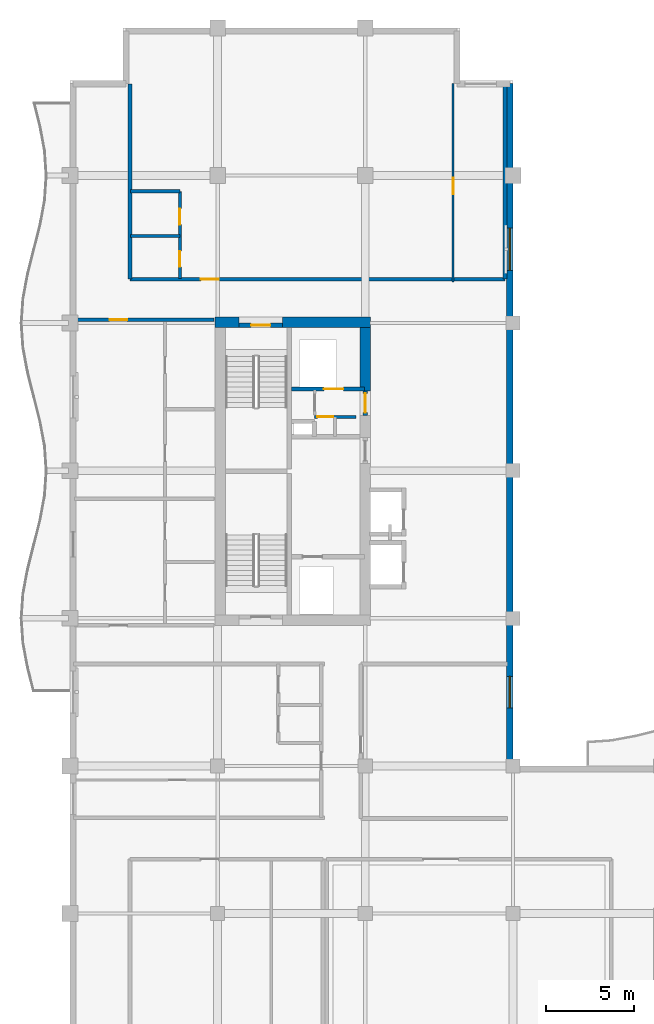
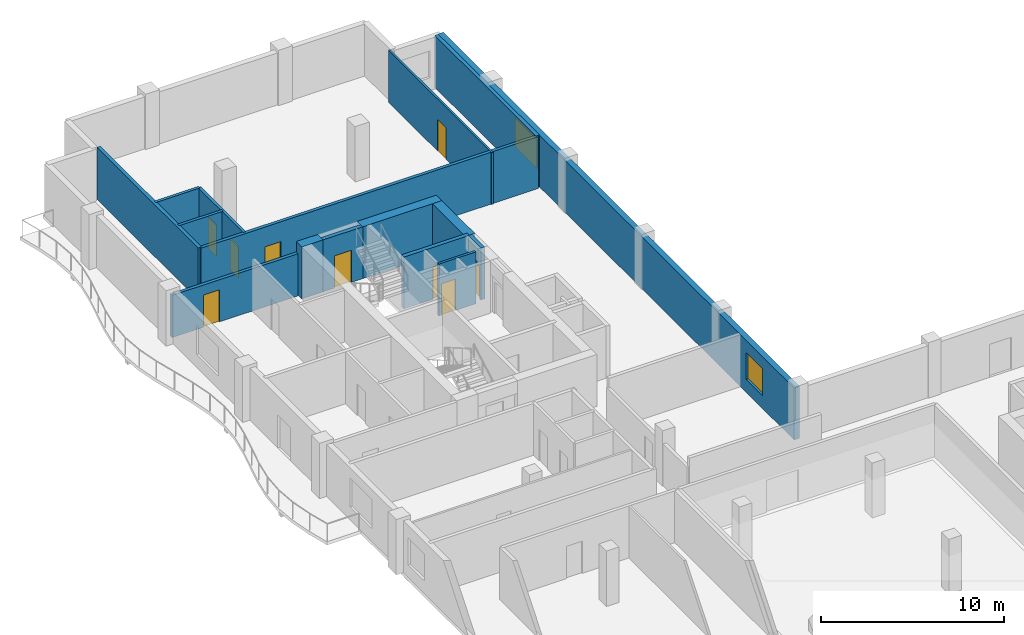
# One storey, part 10 of 16: 16 walls, 9 doors, 2 windows, 11 openings.
"""IFC4 building model written with IfcOpenShell, lengths in metres."""

from ifc_helpers import new_model, si_unit, direction, frame, frame_2d, origin, place, context, subcontext, project, spatial, rectangle, extrude, material, layer, layer_set, type_object, element, fill, save


model = new_model("IFC4")

# Units and contexts
model_context = context("Model", 3, precision=1e-05, world=origin(), true_north=direction((0.0, 1.0)))
body_context = subcontext(model_context, "Body", "Model", "MODEL_VIEW")
ifc_project = project(units=[si_unit("LENGTHUNIT", "METRE"), si_unit("AREAUNIT", "SQUARE_METRE"), si_unit("VOLUMEUNIT", "CUBIC_METRE"), si_unit("PLANEANGLEUNIT", "RADIAN"), si_unit("MASSUNIT", "GRAM", prefix="KILO")], contexts=[model_context])

# Site, building, storey
site_placement = place(None, origin())
site = spatial("IfcSite", under=ifc_project, at=site_placement, CompositionType="ELEMENT")
building_placement = place(site_placement, origin())
building = spatial("IfcBuilding", under=site, at=building_placement, Name="Koriwani Terraces Tower", CompositionType="ELEMENT")
storey_placement = place(building_placement, frame((0.0, 0.0, 274.89990234375)))
storey = spatial("IfcBuildingStorey", under=building, at=storey_placement, Name="L68", CompositionType="ELEMENT", Elevation=274.89990234375)

# Walls
ifc_material_1 = material(Name="Concrete C60/75", Category="concrete")
ifc_layer_1 = layer(ifc_material_1, 0.60009765625, Name="Concrete C60/75")
ifc_layer_set_1 = layer_set([ifc_layer_1], Name="Concrete C60/75")
wall_type_1 = type_object("IfcWallType", Name="WALL_CORE_RC_600", PredefinedType="SHEAR", material=ifc_layer_set_1)
wall_1_placement = place(storey_placement, frame((16.64990234375, 58.85009765625, 0.0), z_axis=(0.0, 0.0, 1.0), x_axis=(1.0, 0.0, 0.0)))
element("IfcWall", 1, at=wall_1_placement, inside=storey, type_object=wall_type_1, Name="L68 West Split Core Shear Wall N1", PredefinedType="SHEAR", context=body_context, shape_type="SweptSolid", body=[
    extrude(rectangle(XDim=1.35009765625, YDim=0.60009765625, at=frame_2d((0.675048828125, 0.0))), origin(), (0.0, 0.0, 1.0), 3.47021484375),
])
wall_2_placement = place(storey_placement, frame((20.5, 58.85009765625, 0.0), z_axis=(0.0, 0.0, 1.0), x_axis=(1.0, 0.0, 0.0)))
element("IfcWall", 2, at=wall_2_placement, inside=storey, type_object=wall_type_1, Name="L68 West Split Core Shear Wall N2", PredefinedType="SHEAR", context=body_context, shape_type="SweptSolid", body=[
    extrude(rectangle(XDim=5.0, YDim=0.60009765625, at=frame_2d((2.5, 0.0))), origin(), (0.0, 0.0, 1.0), 3.47021484375),
])
wall_3_placement = place(storey_placement, frame((25.199951171875, 54.949951171875, 0.0), z_axis=(0.0, 0.0, 1.0), x_axis=(0.0, 1.0, 0.0)))
element("IfcWall", 3, at=wall_3_placement, inside=storey, type_object=wall_type_1, Name="L68 West Split Core Shear Wall E3", PredefinedType="SHEAR", context=body_context, shape_type="SweptSolid", body=[
    extrude(rectangle(XDim=3.60009765625, YDim=0.60009765625, at=frame_2d((1.800048828125, 0.0))), origin(), (0.0, 0.0, 1.0), 3.47021484375),
])

# Wall, opening, door
ifc_material_2 = material(Name="Autoclaved Cellular Concrete Blockwork", Category="masonry")
ifc_layer_2 = layer(ifc_material_2, 0.199951171875, Name="Autoclaved Cellular Concrete Blockwork")
ifc_layer_set_2 = layer_set([ifc_layer_2], Name="Autoclaved Cellular Concrete Blockwork")
wall_type_2 = type_object("IfcWallType", Name="WALL_CORRIDOR_200", PredefinedType="PARTITIONING", material=ifc_layer_set_2)
wall_4_placement = place(storey_placement, frame((8.64990234375, 59.0, 0.0), z_axis=(0.0, 0.0, 1.0), x_axis=(1.0, 0.0, 0.0)))
wall_4 = element("IfcWall", 4, at=wall_4_placement, inside=storey, type_object=wall_type_2, Name="L68 Interior Wall WRZ4-WN-L68", PredefinedType="PARTITIONING", context=body_context, shape_type="SweptSolid", body=[
    extrude(rectangle(XDim=7.9501953125, YDim=0.199951171875, at=frame_2d((3.97509765625, 0.0))), origin(), (0.0, 0.0, 1.0), 2.820068359375),
])
opening_1_placement = place(wall_4_placement, frame((2.0, 0.0, 0.0)))
opening_1 = element("IfcOpeningElement", 5, at=opening_1_placement, cuts=wall_4, Name="Opening D-05", PredefinedType="OPENING", context=body_context, shape_type="SweptSolid", body=[
    extrude(rectangle(XDim=1.0, YDim=2.14990234375, at=frame_2d((0.5, 1.074951171875))), frame((0.0, 0.10986328125, 0.0), z_axis=(0.0, -1.0, 0.0), x_axis=(1.0, 0.0, 0.0)), (0.0, 0.0, 1.0), 0.219970703125),
])
ifc_material_3 = material(Name="Architectural Oak Fire Door", Category="wood")
door_type_1 = type_object("IfcDoorType", Name="DOOR_SUITE_ENTRY_1000X2150", OperationType="NOTDEFINED", PredefinedType="DOOR", material=ifc_material_3)
door_1_placement = place(opening_1_placement, origin())
door_1 = element("IfcDoor", 6, at=door_1_placement, inside=storey, type_object=door_type_1, Name="Apartment 68RW2 Entrance Door", OperationType="SINGLE_SWING_RIGHT", OverallHeight=2.14990234375, OverallWidth=1.0, PredefinedType="DOOR", context=body_context, shape_type="SweptSolid", body=[
    extrude(rectangle(XDim=1.0, YDim=2.14990234375, at=frame_2d((0.5, 1.074951171875))), frame((0.0, 0.02490234375, 0.0), z_axis=(0.0, -1.0, 0.0), x_axis=(1.0, 0.0, 0.0)), (0.0, 0.0, 1.0), 0.050048828125),
])
fill(opening_1, door_1)

wall_5_placement = place(storey_placement, frame((11.800048828125, 61.300048828125, 0.0), z_axis=(0.0, 0.0, 1.0), x_axis=(1.0, 0.0, 0.0)))
wall_5 = element("IfcWall", 7, at=wall_5_placement, inside=storey, type_object=wall_type_2, Name="L68 Interior Wall WGB-L68-NT-S", PredefinedType="PARTITIONING", context=body_context, shape_type="SweptSolid", body=[
    extrude(rectangle(XDim=21.349853515625, YDim=0.199951171875, at=frame_2d((10.6748046875, 0.0))), origin(), (0.0, 0.0, 1.0), 3.47021484375),
])
opening_2_placement = place(wall_5_placement, frame((4.050048828125, 0.0, 0.0)))
opening_2 = element("IfcOpeningElement", 8, at=opening_2_placement, cuts=wall_5, Name="Opening D-05", PredefinedType="OPENING", context=body_context, shape_type="SweptSolid", body=[
    extrude(rectangle(XDim=1.0, YDim=2.14990234375, at=frame_2d((0.5, 1.074951171875))), frame((0.0, 0.10986328125, 0.0), z_axis=(0.0, -1.0, 0.0), x_axis=(1.0, 0.0, 0.0)), (0.0, 0.0, 1.0), 0.219970703125),
])
door_2_placement = place(opening_2_placement, origin())
door_2 = element("IfcDoor", 9, at=door_2_placement, inside=storey, type_object=door_type_1, Name="Apartment 68NT Entrance Door", OperationType="SINGLE_SWING_RIGHT", OverallHeight=2.14990234375, OverallWidth=1.0, PredefinedType="DOOR", context=body_context, shape_type="SweptSolid", body=[
    extrude(rectangle(XDim=1.0, YDim=2.14990234375, at=frame_2d((0.5, 1.074951171875))), frame((0.0, 0.02490234375, 0.0), z_axis=(0.0, -1.0, 0.0), x_axis=(1.0, 0.0, 0.0)), (0.0, 0.0, 1.0), 0.050048828125),
])
fill(opening_2, door_2)

# Walls
ifc_layer_3 = layer(ifc_material_2, 0.219970703125, Name="Autoclaved Cellular Concrete Blockwork")
ifc_layer_set_3 = layer_set([ifc_layer_3], Name="Autoclaved Cellular Concrete Blockwork")
wall_type_3 = type_object("IfcWallType", Name="WALL_DEMISING_220", PredefinedType="PARTITIONING", material=ifc_layer_set_3)
for number, where, z_axis, x_axis, name in (
    (10, (33.14990234375, 61.300048828125, 0.0), (0.0, 0.0, 1.0), (0.0, 1.0, 0.0), "L68 Interior Wall WGB-L68-NT-E"),
    (11, (11.800048828125, 61.300048828125, 0.0), (0.0, 0.0, 1.0), (0.0, 1.0, 0.0), "L68 Interior Wall WGB-L68-NT-W"),
):
    element("IfcWall", number, at=place(storey_placement, frame(where, z_axis=z_axis, x_axis=x_axis)), inside=storey, type_object=wall_type_3, Name=name, PredefinedType="PARTITIONING", context=body_context, shape_type="SweptSolid", body=[
        extrude(rectangle(XDim=11.099853515625, YDim=0.219970703125, at=frame_2d((5.5498046875, 0.0))), origin(), (0.0, 0.0, 1.0), 3.47021484375),
    ])

# Wall, openings, windows
ifc_material_4 = material(Name="Concrete C50/60", Category="concrete")
ifc_layer_4 = layer(ifc_material_4, 0.35009765625, Name="Concrete C50/60")
ifc_layer_set_4 = layer_set([ifc_layer_4], Name="Concrete C50/60")
wall_type_4 = type_object("IfcWallType", Name="WALL_EXT_BRUTALIST_350", PredefinedType="STANDARD", material=ifc_layer_set_4)
wall_6_placement = place(storey_placement, frame((33.425048828125, 72.425048828125, 0.0), z_axis=(0.0, 0.0, 1.0), x_axis=(0.0, -1.0, 0.0)))
wall_6 = element("IfcWall", 12, at=wall_6_placement, inside=storey, type_object=wall_type_4, Name="L68 Fair-Faced Brutalist Exterior Wall (NW_IN)", PredefinedType="STANDARD", context=body_context, shape_type="SweptSolid", body=[
    extrude(rectangle(XDim=39.0, YDim=0.35009765625, at=frame_2d((19.5, 0.0))), origin(), (0.0, 0.0, 1.0), 3.47021484375),
])
opening_3_placement = place(wall_6_placement, frame((33.72509765625, 0.0, 0.85009765625)))
opening_3 = element("IfcOpeningElement", 13, at=opening_3_placement, cuts=wall_6, Name="Opening W-04", PredefinedType="OPENING", context=body_context, shape_type="SweptSolid", body=[
    extrude(rectangle(XDim=1.800048828125, YDim=1.800048828125, at=frame_2d((0.89990234375, 0.89990234375))), frame((0.0, 0.18505859375, 0.0), z_axis=(0.0, -1.0, 0.0), x_axis=(1.0, 0.0, 0.0)), (0.0, 0.0, 1.0), 0.3701171875),
])
opening_4_placement = place(wall_6_placement, frame((8.22509765625, 0.0, 0.85009765625)))
opening_4 = element("IfcOpeningElement", 14, at=opening_4_placement, cuts=wall_6, Name="Opening W-03", PredefinedType="OPENING", context=body_context, shape_type="SweptSolid", body=[
    extrude(rectangle(XDim=2.39990234375, YDim=1.949951171875, at=frame_2d((1.199951171875, 0.97509765625))), frame((0.0, 0.18505859375, 0.0), z_axis=(0.0, -1.0, 0.0), x_axis=(1.0, 0.0, 0.0)), (0.0, 0.0, 1.0), 0.3701171875),
])
ifc_material_5 = material(Name="Tempered Laminated Low-E Glass", Category="glass")
window_type_1 = type_object("IfcWindowType", Name="WIN_RES_BED_1800X1800", PartitioningType="DOUBLE_PANEL_VERTICAL", PredefinedType="WINDOW", material=ifc_material_5)
window_1_placement = place(opening_3_placement, origin())
window_1 = element("IfcWindow", 15, at=window_1_placement, inside=storey, type_object=window_type_1, Name="L68 Exterior Window (NW_IN-2)", OverallHeight=1.800048828125, OverallWidth=1.800048828125, PartitioningType="SINGLE_PANEL", PredefinedType="WINDOW", context=body_context, shape_type="SweptSolid", body=[
    extrude(rectangle(XDim=1.800048828125, YDim=1.800048828125, at=frame_2d((0.89990234375, 0.89990234375))), frame((0.0, 0.030029296875, 0.0), z_axis=(0.0, -1.0, 0.0), x_axis=(1.0, 0.0, 0.0)), (0.0, 0.0, 1.0), 0.06005859375),
])
fill(opening_3, window_1)
window_type_2 = type_object("IfcWindowType", Name="WIN_RES_LIVING_2400X1950", PartitioningType="DOUBLE_PANEL_VERTICAL", PredefinedType="WINDOW", material=ifc_material_5)
window_2_placement = place(opening_4_placement, origin())
window_2 = element("IfcWindow", 16, at=window_2_placement, inside=storey, type_object=window_type_2, Name="L68 Exterior Window (NW_IN-11)", OverallHeight=1.949951171875, OverallWidth=2.39990234375, PartitioningType="SINGLE_PANEL", PredefinedType="WINDOW", context=body_context, shape_type="SweptSolid", body=[
    extrude(rectangle(XDim=2.39990234375, YDim=1.949951171875, at=frame_2d((1.199951171875, 0.97509765625))), frame((0.0, 0.030029296875, 0.0), z_axis=(0.0, -1.0, 0.0), x_axis=(1.0, 0.0, 0.0)), (0.0, 0.0, 1.0), 0.06005859375),
])
fill(opening_4, window_2)

# Wall, opening, door
ifc_material_6 = material(Name="Fire-Rated Acoustic Gypsum Partition", Category="masonry")
ifc_layer_5 = layer(ifc_material_6, 0.125, Name="Fire-Rated Acoustic Gypsum Partition")
ifc_layer_set_5 = layer_set([ifc_layer_5], Name="Fire-Rated Acoustic Gypsum Partition")
wall_type_5 = type_object("IfcWallType", Name="WALL_INT_125", PredefinedType="PARTITIONING", material=ifc_layer_set_5)
wall_7_placement = place(storey_placement, frame((30.199951171875, 61.14990234375, 0.0), z_axis=(0.0, 0.0, 1.0), x_axis=(0.0, 1.0, 0.0)))
wall_7 = element("IfcWall", 17, at=wall_7_placement, inside=storey, type_object=wall_type_5, Name="L68 Interior Wall WGB-L68-NT-BD", PredefinedType="PARTITIONING", context=body_context, shape_type="SweptSolid", body=[
    extrude(rectangle(XDim=11.300048828125, YDim=0.125, at=frame_2d((5.64990234375, 0.0))), origin(), (0.0, 0.0, 1.0), 3.47021484375),
])
opening_5_placement = place(wall_7_placement, frame((4.9951171875, 0.0, 0.0)))
opening_5 = element("IfcOpeningElement", 18, at=opening_5_placement, cuts=wall_7, Name="Opening D-06", PredefinedType="OPENING", context=body_context, shape_type="SweptSolid", body=[
    extrude(rectangle(XDim=0.919921875, YDim=2.10009765625, at=frame_2d((0.4599609375, 1.050048828125))), frame((0.0, 0.072509765625, 0.0), z_axis=(0.0, -1.0, 0.0), x_axis=(1.0, 0.0, 0.0)), (0.0, 0.0, 1.0), 0.14501953125),
])
door_type_2 = type_object("IfcDoorType", Name="DOOR_ROOM_INT_920X2100", OperationType="NOTDEFINED", PredefinedType="DOOR", material=ifc_material_3)
door_3_placement = place(opening_5_placement, origin())
door_3 = element("IfcDoor", 19, at=door_3_placement, inside=storey, type_object=door_type_2, Name="Apartment 68NT Master Suite Door", OperationType="SINGLE_SWING_LEFT", OverallHeight=2.10009765625, OverallWidth=0.919921875, PredefinedType="DOOR", context=body_context, shape_type="SweptSolid", body=[
    extrude(rectangle(XDim=0.919921875, YDim=2.10009765625, at=frame_2d((0.4599609375, 1.050048828125))), frame((0.0, 0.02490234375, 0.0), z_axis=(0.0, -1.0, 0.0), x_axis=(1.0, 0.0, 0.0)), (0.0, 0.0, 1.0), 0.050048828125),
])
fill(opening_5, door_3)

# Wall, openings, doors
ifc_layer_6 = layer(ifc_material_6, 0.179931640625, Name="Fire-Rated Acoustic Gypsum Partition")
ifc_layer_set_6 = layer_set([ifc_layer_6], Name="Fire-Rated Acoustic Gypsum Partition")
wall_type_6 = type_object("IfcWallType", Name="WALL_PLUMBING_180", PredefinedType="PLUMBINGWALL", material=ifc_layer_set_6)
wall_8_placement = place(storey_placement, frame((14.64990234375, 61.35009765625, 0.0), z_axis=(0.0, 0.0, 1.0), x_axis=(0.0, 1.0, 0.0)))
wall_8 = element("IfcWall", 20, at=wall_8_placement, inside=storey, type_object=wall_type_6, Name="L68 Interior Wall WGB-L68-NT-SVB", PredefinedType="PLUMBINGWALL", context=body_context, shape_type="SweptSolid", body=[
    extrude(rectangle(XDim=4.949951171875, YDim=0.179931640625, at=frame_2d((2.47509765625, 0.0))), origin(), (0.0, 0.0, 1.0), 3.47021484375),
])
opening_6_placement = place(wall_8_placement, frame((0.64990234375, 0.0, 0.0)))
opening_6 = element("IfcOpeningElement", 21, at=opening_6_placement, cuts=wall_8, Name="Opening D-07", PredefinedType="OPENING", context=body_context, shape_type="SweptSolid", body=[
    extrude(rectangle(XDim=0.89990234375, YDim=2.10009765625, at=frame_2d((0.449951171875, 1.050048828125))), frame((0.0, 0.10009765625, 0.0), z_axis=(0.0, -1.0, 0.0), x_axis=(1.0, 0.0, 0.0)), (0.0, 0.0, 1.0), 0.199951171875),
])
opening_7_placement = place(wall_8_placement, frame((3.050048828125, 0.0, 0.0)))
opening_7 = element("IfcOpeningElement", 22, at=opening_7_placement, cuts=wall_8, Name="Opening D-06", PredefinedType="OPENING", context=body_context, shape_type="SweptSolid", body=[
    extrude(rectangle(XDim=0.919921875, YDim=2.10009765625, at=frame_2d((0.4599609375, 1.050048828125))), frame((0.0, 0.10009765625, 0.0), z_axis=(0.0, -1.0, 0.0), x_axis=(1.0, 0.0, 0.0)), (0.0, 0.0, 1.0), 0.199951171875),
])
door_type_3 = type_object("IfcDoorType", Name="DOOR_BATH_INT_900X2100", OperationType="NOTDEFINED", PredefinedType="DOOR", material=ifc_material_3)
door_4_placement = place(opening_6_placement, origin())
door_4 = element("IfcDoor", 23, at=door_4_placement, inside=storey, type_object=door_type_3, Name="Apartment 68NT Bathroom Door", OperationType="SINGLE_SWING_LEFT", OverallHeight=2.10009765625, OverallWidth=0.89990234375, PredefinedType="DOOR", context=body_context, shape_type="SweptSolid", body=[
    extrude(rectangle(XDim=0.89990234375, YDim=2.10009765625, at=frame_2d((0.449951171875, 1.050048828125))), frame((0.0, 0.02490234375, 0.0), z_axis=(0.0, -1.0, 0.0), x_axis=(1.0, 0.0, 0.0)), (0.0, 0.0, 1.0), 0.050048828125),
])
fill(opening_6, door_4)
door_5_placement = place(opening_7_placement, origin())
door_5 = element("IfcDoor", 24, at=door_5_placement, inside=storey, type_object=door_type_2, Name="Apartment 68NT Kitchen Door", OperationType="SINGLE_SWING_RIGHT", OverallHeight=2.10009765625, OverallWidth=0.919921875, PredefinedType="DOOR", context=body_context, shape_type="SweptSolid", body=[
    extrude(rectangle(XDim=0.919921875, YDim=2.10009765625, at=frame_2d((0.4599609375, 1.050048828125))), frame((0.0, 0.02490234375, 0.0), z_axis=(0.0, -1.0, 0.0), x_axis=(1.0, 0.0, 0.0)), (0.0, 0.0, 1.0), 0.050048828125),
])
fill(opening_7, door_5)

# Walls
for number, where, z_axis, x_axis, name in (
    (25, (11.85009765625, 63.75, 0.0), (0.0, 0.0, 1.0), (1.0, 0.0, 0.0), "L68 Interior Wall WGB-L68-NT-SVM"),
    (26, (11.85009765625, 66.300048828125, 0.0), (0.0, 0.0, 1.0), (1.0, 0.0, 0.0), "L68 Interior Wall WGB-L68-NT-SV2"),
):
    element("IfcWall", number, at=place(storey_placement, frame(where, z_axis=z_axis, x_axis=x_axis)), inside=storey, type_object=wall_type_6, Name=name, PredefinedType="PLUMBINGWALL", context=body_context, shape_type="SweptSolid", body=[
        extrude(rectangle(XDim=2.7998046875, YDim=0.179931640625, at=frame_2d((1.39990234375, 0.0))), origin(), (0.0, 0.0, 1.0), 3.47021484375),
    ])

# Wall, opening, door
ifc_material_7 = material(Name="Concrete C40/50", Category="concrete")
ifc_layer_7 = layer(ifc_material_7, 0.25, Name="Concrete C40/50")
ifc_layer_set_7 = layer_set([ifc_layer_7], Name="Concrete C40/50")
wall_type_7 = type_object("IfcWallType", Name="WALL_SHAFT_RATED_250", PredefinedType="SOLIDWALL", material=ifc_layer_set_7)
wall_9_placement = place(storey_placement, frame((18.0, 58.675048828125, 0.0), z_axis=(0.0, 0.0, 1.0), x_axis=(1.0, 0.0, 0.0)))
wall_9 = element("IfcWall", 27, at=wall_9_placement, inside=storey, type_object=wall_type_7, Name="L68 Interior Wall WIN-CW-L68-STN", PredefinedType="SOLIDWALL", context=body_context, shape_type="SweptSolid", body=[
    extrude(rectangle(XDim=2.5, YDim=0.25, at=frame_2d((1.25, 0.0))), origin(), (0.0, 0.0, 1.0), 3.47021484375),
])
opening_8_placement = place(wall_9_placement, frame((0.699951171875, 0.0, 0.0)))
opening_8 = element("IfcOpeningElement", 28, at=opening_8_placement, cuts=wall_9, Name="Opening D-03", PredefinedType="OPENING", context=body_context, shape_type="SweptSolid", body=[
    extrude(rectangle(XDim=1.10009765625, YDim=2.14990234375, at=frame_2d((0.550048828125, 1.074951171875))), frame((0.0, 0.135009765625, 0.0), z_axis=(0.0, -1.0, 0.0), x_axis=(1.0, 0.0, 0.0)), (0.0, 0.0, 1.0), 0.27001953125),
])
ifc_material_8 = material(Name="Steel ASTM A572 Grade 50", Category="steel")
door_type_4 = type_object("IfcDoorType", Name="DOOR_STAIR_FIRE_1100X2150", OperationType="NOTDEFINED", PredefinedType="DOOR", material=ifc_material_8)
door_6_placement = place(opening_8_placement, origin())
door_6 = element("IfcDoor", 29, at=door_6_placement, inside=storey, type_object=door_type_4, Name="L68 Exit Stair ST-W2 Door", OperationType="SINGLE_SWING_LEFT", OverallHeight=2.14990234375, OverallWidth=1.10009765625, PredefinedType="DOOR", context=body_context, shape_type="SweptSolid", body=[
    extrude(rectangle(XDim=1.10009765625, YDim=2.14990234375, at=frame_2d((0.550048828125, 1.074951171875))), frame((0.0, 0.02490234375, 0.0), z_axis=(0.0, -1.0, 0.0), x_axis=(1.0, 0.0, 0.0)), (0.0, 0.0, 1.0), 0.050048828125),
])
fill(opening_8, door_6)

wall_10_placement = place(storey_placement, frame((21.0, 55.050048828125, 0.0), z_axis=(0.0, 0.0, 1.0), x_axis=(1.0, 0.0, 0.0)))
wall_10 = element("IfcWall", 30, at=wall_10_placement, inside=storey, type_object=wall_type_7, Name="L68 Interior Wall WIN-CW-L68-SE", PredefinedType="SOLIDWALL", context=body_context, shape_type="SweptSolid", body=[
    extrude(rectangle(XDim=4.14990234375, YDim=0.25, at=frame_2d((2.074951171875, 0.0))), origin(), (0.0, 0.0, 1.0), 3.47021484375),
])
opening_9_placement = place(wall_10_placement, frame((1.85009765625, 0.0, 0.0)))
opening_9 = element("IfcOpeningElement", 31, at=opening_9_placement, cuts=wall_10, Name="Opening LD-01", PredefinedType="OPENING", context=body_context, shape_type="SweptSolid", body=[
    extrude(rectangle(XDim=1.10009765625, YDim=2.14990234375, at=frame_2d((0.550048828125, 1.074951171875))), frame((0.0, 0.135009765625, 0.0), z_axis=(0.0, -1.0, 0.0), x_axis=(1.0, 0.0, 0.0)), (0.0, 0.0, 1.0), 0.27001953125),
])
door_type_5 = type_object("IfcDoorType", Name="DOOR_LIFT_LANDING_1100X2200", OperationType="NOTDEFINED", PredefinedType="DOOR", material=ifc_material_8)
door_7_placement = place(opening_9_placement, origin())
door_7 = element("IfcDoor", 32, at=door_7_placement, inside=storey, type_object=door_type_5, Name="L68 Goods Lift SE-01 Landing Door", OperationType="SLIDING_TO_LEFT", OverallHeight=2.14990234375, OverallWidth=1.10009765625, PredefinedType="DOOR", context=body_context, shape_type="SweptSolid", body=[
    extrude(rectangle(XDim=1.10009765625, YDim=2.14990234375, at=frame_2d((0.550048828125, 1.074951171875))), frame((0.0, 0.02490234375, 0.0), z_axis=(0.0, -1.0, 0.0), x_axis=(1.0, 0.0, 0.0)), (0.0, 0.0, 1.0), 0.050048828125),
])
fill(opening_9, door_7)

wall_11_placement = place(storey_placement, frame((25.199951171875, 53.550048828125, 0.0), z_axis=(0.0, 0.0, 1.0), x_axis=(0.0, 1.0, 0.0)))
wall_11 = element("IfcWall", 33, at=wall_11_placement, inside=storey, type_object=wall_type_7, Name="L68 Interior Wall WIN-CW-L68-EP2", PredefinedType="SOLIDWALL", context=body_context, shape_type="SweptSolid", body=[
    extrude(rectangle(XDim=1.39990234375, YDim=0.25, at=frame_2d((0.699951171875, 0.0))), origin(), (0.0, 0.0, 1.0), 3.47021484375),
])
opening_10_placement = place(wall_11_placement, frame((0.14990234375, 0.0, 0.0)))
opening_10 = element("IfcOpeningElement", 34, at=opening_10_placement, cuts=wall_11, Name="Opening D-03", PredefinedType="OPENING", context=body_context, shape_type="SweptSolid", body=[
    extrude(rectangle(XDim=1.10009765625, YDim=2.14990234375, at=frame_2d((0.550048828125, 1.074951171875))), frame((0.0, 0.135009765625, 0.0), z_axis=(0.0, -1.0, 0.0), x_axis=(1.0, 0.0, 0.0)), (0.0, 0.0, 1.0), 0.27001953125),
])
door_8_placement = place(opening_10_placement, origin())
door_8 = element("IfcDoor", 35, at=door_8_placement, inside=storey, type_object=door_type_4, Name="L68 West Goods Lift Lobby Door", OperationType="SINGLE_SWING_LEFT", OverallHeight=2.14990234375, OverallWidth=1.10009765625, PredefinedType="DOOR", context=body_context, shape_type="SweptSolid", body=[
    extrude(rectangle(XDim=1.10009765625, YDim=2.14990234375, at=frame_2d((0.550048828125, 1.074951171875))), frame((0.0, 0.02490234375, 0.0), z_axis=(0.0, -1.0, 0.0), x_axis=(1.0, 0.0, 0.0)), (0.0, 0.0, 1.0), 0.050048828125),
])
fill(opening_10, door_8)

ifc_layer_8 = layer(ifc_material_6, 0.159912109375, Name="Fire-Rated Acoustic Gypsum Partition")
ifc_layer_set_8 = layer_set([ifc_layer_8], Name="Fire-Rated Acoustic Gypsum Partition")
wall_type_8 = type_object("IfcWallType", Name="WALL_SUITE_160", PredefinedType="PARTITIONING", material=ifc_layer_set_8)
wall_12_placement = place(storey_placement, frame((22.320068359375, 53.4599609375, 0.0), z_axis=(0.0, 0.0, 1.0), x_axis=(1.0, 0.0, 0.0)))
wall_12 = element("IfcWall", 36, at=wall_12_placement, inside=storey, type_object=wall_type_8, Name="L68 Interior Wall WIN-CW-L68-SV2H", PredefinedType="PARTITIONING", context=body_context, shape_type="SweptSolid", body=[
    extrude(rectangle(XDim=2.35986328125, YDim=0.159912109375, at=frame_2d((1.179931640625, 0.0))), origin(), (0.0, 0.0, 1.0), 3.47021484375),
])
opening_11_placement = place(wall_12_placement, frame((0.159912109375, 0.0, 0.0)))
opening_11 = element("IfcOpeningElement", 37, at=opening_11_placement, cuts=wall_12, Name="Opening D-07", PredefinedType="OPENING", context=body_context, shape_type="SweptSolid", body=[
    extrude(rectangle(XDim=0.89990234375, YDim=2.10009765625, at=frame_2d((0.449951171875, 1.050048828125))), frame((0.0, 0.08984375, 0.0), z_axis=(0.0, -1.0, 0.0), x_axis=(1.0, 0.0, 0.0)), (0.0, 0.0, 1.0), 0.179931640625),
])
door_9_placement = place(opening_11_placement, origin())
door_9 = element("IfcDoor", 38, at=door_9_placement, inside=storey, type_object=door_type_3, Name="L68 West Valve Room Door", OperationType="SINGLE_SWING_LEFT", OverallHeight=2.10009765625, OverallWidth=0.89990234375, PredefinedType="DOOR", context=body_context, shape_type="SweptSolid", body=[
    extrude(rectangle(XDim=0.89990234375, YDim=2.10009765625, at=frame_2d((0.449951171875, 1.050048828125))), frame((0.0, 0.02490234375, 0.0), z_axis=(0.0, -1.0, 0.0), x_axis=(1.0, 0.0, 0.0)), (0.0, 0.0, 1.0), 0.050048828125),
])
fill(opening_11, door_9)

save(model, "model.ifc")
